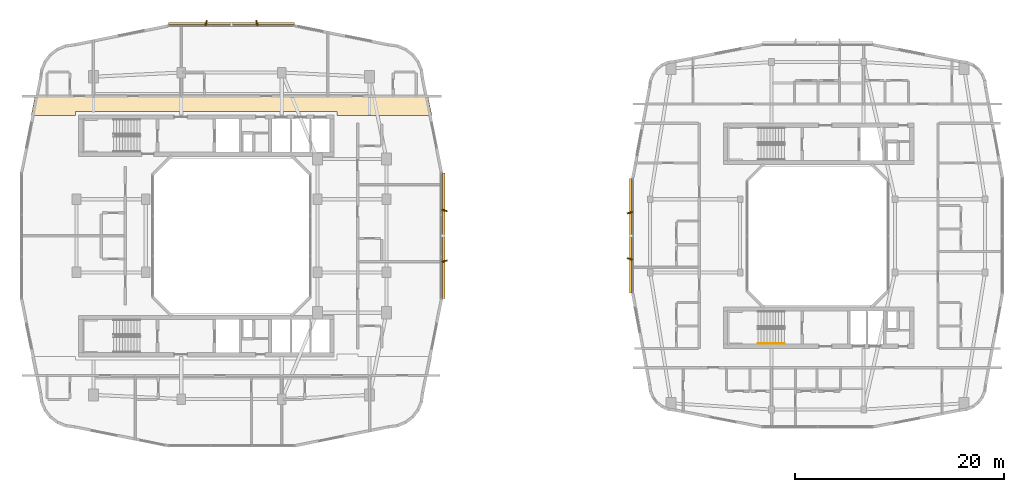
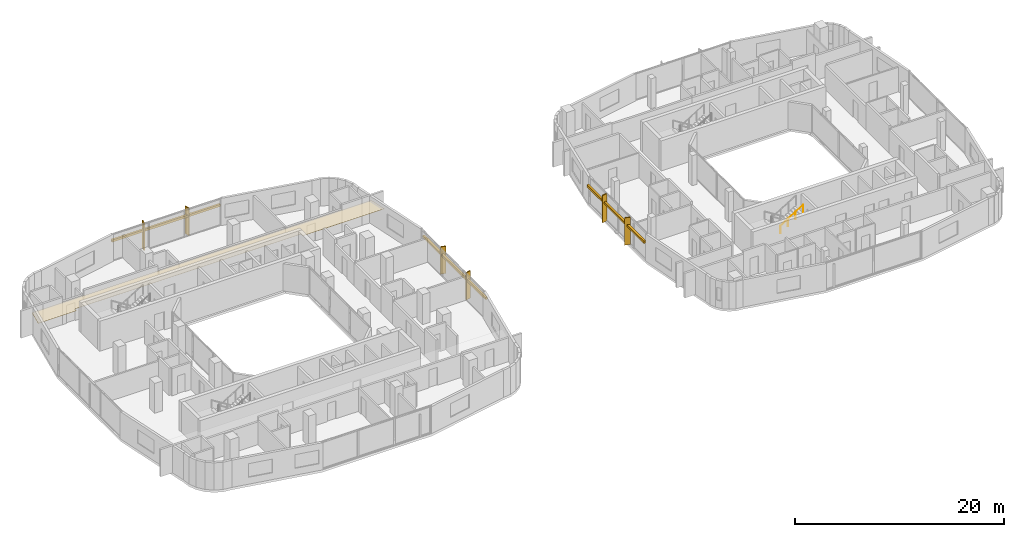
# One storey, part 25 of 26: 9 shading devices, 1 covering, 1 railing.
"""IFC4 building model written with IfcOpenShell, lengths in metres."""

from ifc_helpers import new_model, si_unit, derived_unit, direction, frame, origin, origin_2d, place, context, subcontext, project, spatial, polyline, rectangle, circle, outline, extrude, material, layer, layer_set, type_object, element, save


model = new_model("IFC4")

# Units and contexts
model_context = context("Model", 3, precision=1e-05, world=origin(), true_north=direction((0.0, 1.0)))
body_context = subcontext(model_context, "Body", "Model", "MODEL_VIEW")
ifc_project = project(units=[si_unit("LENGTHUNIT", "METRE"), si_unit("AREAUNIT", "SQUARE_METRE"), si_unit("VOLUMEUNIT", "CUBIC_METRE"), si_unit("PLANEANGLEUNIT", "RADIAN"), si_unit("MASSUNIT", "GRAM", prefix="KILO"), derived_unit("THERMALTRANSMITTANCEUNIT", [(si_unit("POWERUNIT", "WATT"), 1), (si_unit("LENGTHUNIT", "METRE"), -2), (si_unit("THERMODYNAMICTEMPERATUREUNIT", "KELVIN"), -1)])], contexts=[model_context])

# Site, building, storey
site_placement = place(None, origin())
site = spatial("IfcSite", under=ifc_project, at=site_placement, CompositionType="ELEMENT")
building_placement = place(site_placement, origin())
building = spatial("IfcBuilding", under=site, at=building_placement, Name="Kivonza Crest Hotel", CompositionType="ELEMENT")
storey_placement = place(building_placement, frame((0.0, 0.0, 116.0)))
storey = spatial("IfcBuildingStorey", under=building, at=storey_placement, Name="L31", CompositionType="ELEMENT", Elevation=116.0)

# Covering
ifc_material_1 = material(Name="Mineral-fibre acoustic ceiling tile", Category="gypsum")
ifc_layer = layer(ifc_material_1, 0.02490234375)
ifc_layer_set = layer_set([ifc_layer], Name="Mineral-fibre acoustic ceiling tile")
covering_type = type_object("IfcCoveringType", Name="CV-CEIL-ACOU", PredefinedType="CEILING", material=ifc_layer_set)
covering_placement = place(storey_placement, frame((0.0, 0.0, 2.449951171875)))
element("IfcCovering", 1, at=covering_placement, inside=storey, type_object=covering_type, Name="L31 Hotel North Guest Corridor suspended ceiling", PredefinedType="CEILING", context=body_context, shape_type="SweptSolid", body=[
    extrude(outline(polyline([(2.235107421875, 38.389892578125), (1.85791015625, 36.52001953125), (6.10009765625, 36.52001953125), (6.10009765625, 36.860107421875), (31.10009765625, 36.860107421875), (31.10009765625, 36.52001953125), (40.14208984375, 36.52001953125), (39.764892578125, 38.389892578125), (2.235107421875, 38.389892578125)])), origin(), (0.0, 0.0, 1.0), 0.025146484375),
])

# Railing
ifc_material_2 = material(Name="Brushed stainless steel handrail", Category="steel")
railing_type = type_object("IfcRailingType", Name="RL-HAND-900", PredefinedType="HANDRAIL", material=ifc_material_2)
railing_placement = place(storey_placement, frame((71.320068359375, 14.7099609375, 1.925048828125)))
element("IfcRailing", 2, at=railing_placement, inside=storey, type_object=railing_type, Name="L31 ST-T2-S stair handrail 2", PredefinedType="HANDRAIL", context=body_context, shape_type="SweptSolid", body=[
    extrude(circle(Radius=0.02392578125, at=origin_2d()), frame((0.0, 0.0, 0.8759765625), z_axis=(0.848007534815, 0.0, 0.529984170421), x_axis=(0.0, 1.0, 0.0)), (0.0, 0.0, 1.0), 2.9716796875),
    extrude(circle(Radius=0.02099609375, at=origin_2d()), origin(), (0.0, 0.0, 1.0), 0.851806640625),
    extrude(circle(Radius=0.02099609375, at=origin_2d()), frame((0.840087890625, 0.0, 0.52490234375)), (0.0, 0.0, 1.0), 0.851806640625),
    extrude(circle(Radius=0.02099609375, at=origin_2d()), frame((1.679931640625, 0.0, 1.050048828125)), (0.0, 0.0, 1.0), 0.851806640625),
    extrude(circle(Radius=0.02099609375, at=origin_2d()), frame((2.52001953125, 0.0, 1.574951171875)), (0.0, 0.0, 1.0), 0.851806640625),
])

# Shading devices
ifc_material_3 = material(Name="Kiln-fired Nairobi red-ochre terracotta", Category="masonry")
shading_device_type_1 = type_object("IfcShadingDeviceType", Name="SH-BAGUETTE-300", PredefinedType="USERDEFINED", material=ifc_material_3)
for number, where, z_axis, x_axis, name in (
    (3, (41.280029296875, 25.0, 2.09619140625), (0.0, 0.0, 1.0), (0.0, 1.0, 0.0), "L31 terracotta baguette screen CW-T1-L31-17"),
    (4, (21.0, 45.280029296875, 2.09619140625), (0.0, 0.0, 1.0), (-1.0, 0.0, 0.0), "L31 terracotta baguette screen CW-T1-L31-26"),
):
    element("IfcShadingDevice", number, at=place(storey_placement, frame(where, z_axis=z_axis, x_axis=x_axis)), inside=storey, type_object=shading_device_type_1, Name=name, ObjectType="BAGUETTE", PredefinedType="USERDEFINED", context=body_context, shape_type="SweptSolid", body=[
        extrude(rectangle(XDim=12.0, YDim=0.219970703125, at=origin_2d()), origin(), (0.0, 0.0, 1.0), 0.260009765625),
    ])
shading_device_placement = place(storey_placement, frame((59.1201171875, 25.0, 2.09619140625), z_axis=(0.0, 0.0, 1.0), x_axis=(0.0, -1.0, 0.0)))
element("IfcShadingDevice", 5, at=shading_device_placement, inside=storey, type_object=shading_device_type_1, Name="L31 terracotta baguette screen CW-T2-L31-35", ObjectType="BAGUETTE", PredefinedType="USERDEFINED", context=body_context, shape_type="SweptSolid", body=[
    extrude(rectangle(XDim=10.919921875, YDim=0.219970703125, at=origin_2d()), origin(), (0.0, 0.0, 1.0), 0.260009765625),
])
ifc_material_4 = material(Name="Kiln-fired terracotta over extruded aluminium spine", Category="masonry")
shading_device_type_2 = type_object("IfcShadingDeviceType", Name="SH-FIN-550", PredefinedType="USERDEFINED", material=ifc_material_4)
for number, where, z_axis, x_axis, name in (
    (6, (41.340087890625, 22.575927734375, 0.0), (0.0, 0.0, 1.0), (-0.2419218956, 0.970295726276, 0.0), "L31 vertical solar shading fin CW-T1-L31-17-1"),
    (7, (41.340087890625, 27.424072265625, 0.0), (0.0, 0.0, 1.0), (0.2419218956, 0.970295726276, 0.0), "L31 vertical solar shading fin CW-T1-L31-17-2"),
    (8, (23.424072265625, 45.340087890625, 0.0), (0.0, 0.0, 1.0), (-0.970295726276, -0.2419218956, 0.0), "L31 vertical solar shading fin CW-T1-L31-26-1"),
    (9, (18.575927734375, 45.340087890625, 0.0), (0.0, 0.0, 1.0), (-0.970295726276, 0.2419218956, 0.0), "L31 vertical solar shading fin CW-T1-L31-26-2"),
    (10, (59.06005859375, 27.2080078125, 0.0), (0.0, 0.0, 1.0), (0.2419218956, -0.970295726276, 0.0), "L31 vertical solar shading fin CW-T2-L31-35-1"),
    (11, (59.06005859375, 22.7919921875, 0.0), (0.0, 0.0, 1.0), (-0.2419218956, -0.970295726276, 0.0), "L31 vertical solar shading fin CW-T2-L31-35-2"),
):
    element("IfcShadingDevice", number, at=place(storey_placement, frame(where, z_axis=z_axis, x_axis=x_axis)), inside=storey, type_object=shading_device_type_2, Name=name, ObjectType="FIN", PredefinedType="USERDEFINED", context=body_context, shape_type="SweptSolid", body=[
        extrude(rectangle(XDim=0.1201171875, YDim=0.550048828125, at=origin_2d()), origin(), (0.0, 0.0, 1.0), 3.179931640625),
    ])

save(model, "model.ifc")
